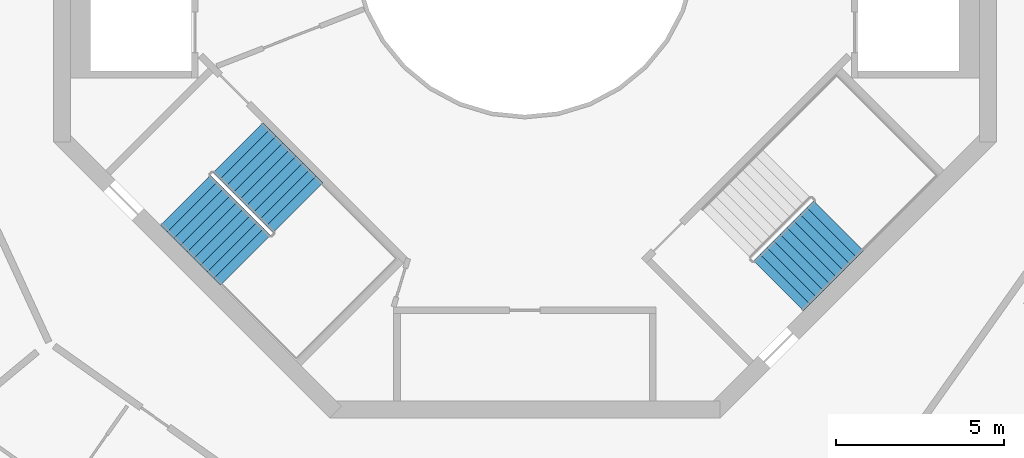
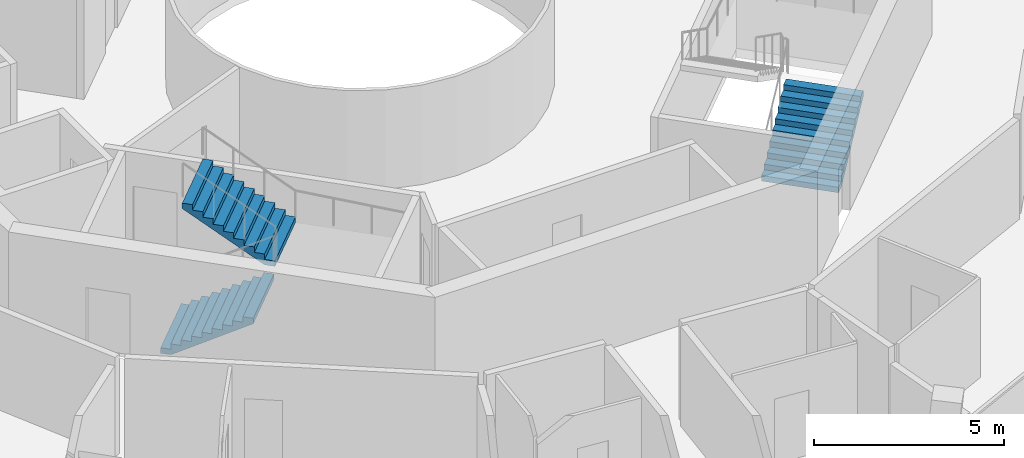
# One storey, part 21 of 23: 3 stair flights, 2 elements without a shape of their own.
"""IFC4 building model written with IfcOpenShell, lengths in metres."""

from ifc_helpers import new_model, si_unit, direction, frame, origin, place, context, subcontext, project, spatial, triangles, material, type_object, element, aggregate, save


model = new_model("IFC4")

# Units and contexts
model_context = context("Model", 3, precision=1e-05, world=origin(), true_north=direction((0.0, 1.0)))
body_context = subcontext(model_context, "Body", "Model", "MODEL_VIEW")
ifc_project = project(units=[si_unit("LENGTHUNIT", "METRE"), si_unit("AREAUNIT", "SQUARE_METRE"), si_unit("VOLUMEUNIT", "CUBIC_METRE"), si_unit("PLANEANGLEUNIT", "RADIAN"), si_unit("MASSUNIT", "GRAM", prefix="KILO")], contexts=[model_context])

# Site, building, storey
site_placement = place(None, origin())
site = spatial("IfcSite", under=ifc_project, at=site_placement, CompositionType="ELEMENT")
building_placement = place(site_placement, origin())
building = spatial("IfcBuilding", under=site, at=building_placement, Name="Verdalira Terraces Hotel", CompositionType="ELEMENT")
storey_placement = place(building_placement, frame((0.0, 0.0, 256.0)))
storey = spatial("IfcBuildingStorey", under=building, at=storey_placement, Name="L63", CompositionType="ELEMENT", Elevation=256.0)

# Stair, stair flights
ifc_material_1 = material(Name="Concrete C40", Category="concrete")
stair_type = type_object("IfcStairType", Name="Core stair 20 risers 2100 mm wide", PredefinedType="HALF_TURN_STAIR", material=ifc_material_1)
stair_1_placement = place(storey_placement, origin())
stair_1 = element("IfcStair", 1, at=stair_1_placement, inside=storey, type_object=stair_type, Name="L63 Exit stair ST2", PredefinedType="HALF_TURN_STAIR")
ifc_material_2 = material(Name="Concrete C40", Category="concrete")
stair_flight_type = type_object("IfcStairFlightType", Name="Core stair flight 20 risers 2100 mm wide", PredefinedType="STRAIGHT", material=ifc_material_2)
stair_flight_1_placement = place(storey_placement, frame((-10.076172, -7.530762, 0.0), z_axis=(0.0, 0.0, 1.0), x_axis=(0.707106781, -0.707106781, 0.0)))
stair_flight_1 = element("IfcStairFlight", 2, at=stair_flight_1_placement, type_object=stair_flight_type, Name="ST2 flight 1", NumberOfRisers=10, NumberOfTreads=9, PredefinedType="STRAIGHT", RiserHeight=0.175, TreadLength=0.28, context=body_context, shape_type="Tessellation", body=[
    triangles([(0.0, 1.050049, 0.0), (0.282715, 1.050049, 0.0), (2.52002, 1.050049, 1.398193), (0.0, -1.050049, 0.0), (0.282715, -1.050049, 0.0), (2.52002, -1.050049, 1.398193), (2.52002, 1.050049, 1.574951), (2.23999, 1.050049, 1.574951), (2.52002, -1.050049, 1.574951), (2.23999, -1.050049, 1.574951), (2.23999, 1.050049, 1.399902), (2.23999, -1.050049, 1.399902), (1.959961, 1.050049, 1.399902), (1.959961, -1.050049, 1.399902), (1.959961, 1.050049, 1.225098), (1.959961, -1.050049, 1.225098), (1.679932, 1.050049, 1.225098), (1.679932, 1.050049, 1.050049), (1.679932, -1.050049, 1.225098), (1.679932, -1.050049, 1.050049), (1.399902, 1.050049, 1.050049), (1.399902, 1.050049, 0.875), (1.399902, -1.050049, 1.050049), (1.399902, -1.050049, 0.875), (1.120117, 1.050049, 0.875), (1.120117, 1.050049, 0.699951), (1.120117, -1.050049, 0.875), (1.120117, -1.050049, 0.699951), (0.840088, 1.050049, 0.699951), (0.840088, 1.050049, 0.524902), (0.840088, -1.050049, 0.699951), (0.840088, -1.050049, 0.524902), (0.560059, 1.050049, 0.524902), (0.560059, 1.050049, 0.350098), (0.560059, -1.050049, 0.524902), (0.560059, -1.050049, 0.350098), (0.280029, 1.050049, 0.350098), (0.280029, 1.050049, 0.175049), (0.280029, -1.050049, 0.350098), (0.280029, -1.050049, 0.175049), (0.0, 1.050049, 0.175049), (0.0, -1.050049, 0.175049), (0.0, -0.984421, 0.0), (0.0, -0.984421, 0.175049), (0.0, -0.918793, 0.0), (0.0, -0.918793, 0.175049), (0.0, -0.853165, 0.0), (0.0, -0.853165, 0.175049), (0.0, -0.787537, 0.0), (0.0, -0.787537, 0.175049), (0.0, -0.721909, 0.0), (0.0, -0.721909, 0.175049), (0.0, -0.656281, 0.0), (0.0, -0.656281, 0.175049), (0.0, -0.590652, 0.0), (0.0, -0.590652, 0.175049), (0.0, -0.525024, 0.0), (0.0, -0.525024, 0.175049), (0.0, -0.459396, 0.0), (0.0, -0.459396, 0.175049), (0.0, -0.393768, 0.0), (0.0, -0.393768, 0.175049), (0.0, -0.32814, 0.0), (0.0, -0.32814, 0.175049), (0.0, -0.262512, 0.0), (0.0, -0.262512, 0.175049), (0.0, -0.196884, 0.0), (0.0, -0.196884, 0.175049), (0.0, -0.131256, 0.0), (0.0, -0.131256, 0.175049), (0.0, -0.065628, 0.0), (0.0, -0.065628, 0.175049), (0.0, 0.0, 0.0), (0.0, 0.0, 0.175049), (0.0, 0.065628, 0.0), (0.0, 0.065628, 0.175049), (0.0, 0.131256, 0.0), (0.0, 0.131256, 0.175049), (0.0, 0.196884, 0.0), (0.0, 0.196884, 0.175049), (0.0, 0.262512, 0.0), (0.0, 0.262512, 0.175049), (0.0, 0.32814, 0.0), (0.0, 0.32814, 0.175049), (0.0, 0.393768, 0.0), (0.0, 0.393768, 0.175049), (0.0, 0.459396, 0.0), (0.0, 0.459396, 0.175049), (0.0, 0.525024, 0.0), (0.0, 0.525024, 0.175049), (0.0, 0.590652, 0.0), (0.0, 0.590652, 0.175049), (0.0, 0.656281, 0.0), (0.0, 0.656281, 0.175049), (0.0, 0.721909, 0.0), (0.0, 0.721909, 0.175049), (0.0, 0.787537, 0.0), (0.0, 0.787537, 0.175049), (0.0, 0.853165, 0.0), (0.0, 0.853165, 0.175049), (0.0, 0.918793, 0.0), (0.0, 0.918793, 0.175049), (0.0, 0.984421, 0.0), (0.0, 0.984421, 0.175049), (2.52002, -0.984421, 1.574951), (2.52002, -0.918793, 1.574951), (2.52002, -0.853165, 1.574951), (2.52002, -0.787537, 1.574951), (2.52002, -0.721909, 1.574951), (2.52002, -0.656281, 1.574951), (2.52002, -0.590652, 1.574951), (2.52002, -0.525024, 1.574951), (2.52002, -0.459396, 1.574951), (2.52002, -0.393768, 1.574951), (2.52002, -0.32814, 1.574951), (2.52002, -0.262512, 1.574951), (2.52002, -0.196884, 1.574951), (2.52002, -0.131256, 1.574951), (2.52002, -0.065628, 1.574951), (2.52002, 0.0, 1.574951), (2.52002, 0.065628, 1.574951), (2.52002, 0.131256, 1.574951), (2.52002, 0.196884, 1.574951), (2.52002, 0.262512, 1.574951), (2.52002, 0.32814, 1.574951), (2.52002, 0.393768, 1.574951), (2.52002, 0.459396, 1.574951), (2.52002, 0.525024, 1.574951), (2.52002, 0.590652, 1.574951), (2.52002, 0.656281, 1.574951), (2.52002, 0.721909, 1.574951), (2.52002, 0.787537, 1.574951), (2.52002, 0.853165, 1.574951), (2.52002, 0.918793, 1.574951), (2.52002, 0.984421, 1.574951), (2.52002, -0.984421, 1.398193), (2.52002, -0.918793, 1.398193), (2.52002, -0.853165, 1.398193), (2.52002, -0.787537, 1.398193), (2.52002, -0.721909, 1.398193), (2.52002, -0.656281, 1.398193), (2.52002, -0.590652, 1.398193), (2.52002, -0.525024, 1.398193), (2.52002, -0.459396, 1.398193), (2.52002, -0.393768, 1.398193), (2.52002, -0.32814, 1.398193), (2.52002, -0.262512, 1.398193), (2.52002, -0.196884, 1.398193), (2.52002, -0.131256, 1.398193), (2.52002, -0.065628, 1.398193), (2.52002, 0.0, 1.398193), (2.52002, 0.065628, 1.398193), (2.52002, 0.131256, 1.398193), (2.52002, 0.196884, 1.398193), (2.52002, 0.262512, 1.398193), (2.52002, 0.32814, 1.398193), (2.52002, 0.393768, 1.398193), (2.52002, 0.459396, 1.398193), (2.52002, 0.525024, 1.398193), (2.52002, 0.590652, 1.398193), (2.52002, 0.656281, 1.398193), (2.52002, 0.721909, 1.398193), (2.52002, 0.787537, 1.398193), (2.52002, 0.853165, 1.398193), (2.52002, 0.918793, 1.398193), (2.52002, 0.984421, 1.398193)], [[1, 3, 2], [4, 5, 6], [3, 8, 7], [6, 9, 10], [3, 11, 8], [6, 10, 12], [3, 13, 11], [6, 12, 14], [3, 15, 13], [6, 14, 16], [15, 18, 17], [16, 19, 20], [3, 18, 15], [6, 16, 20], [18, 22, 21], [20, 23, 24], [3, 22, 18], [6, 20, 24], [22, 26, 25], [24, 27, 28], [3, 26, 22], [6, 24, 28], [26, 30, 29], [28, 31, 32], [3, 30, 26], [6, 28, 32], [1, 30, 3], [4, 6, 32], [30, 34, 33], [32, 35, 36], [34, 38, 37], [36, 39, 40], [30, 38, 34], [32, 36, 40], [1, 38, 30], [4, 32, 40], [38, 1, 41], [40, 42, 4], [4, 44, 43], [4, 42, 44], [43, 46, 45], [43, 44, 46], [45, 48, 47], [45, 46, 48], [47, 50, 49], [47, 48, 50], [49, 52, 51], [49, 50, 52], [51, 54, 53], [51, 52, 54], [53, 56, 55], [53, 54, 56], [55, 58, 57], [55, 56, 58], [57, 60, 59], [57, 58, 60], [59, 62, 61], [59, 60, 62], [61, 64, 63], [61, 62, 64], [63, 66, 65], [63, 64, 66], [65, 68, 67], [65, 66, 68], [67, 70, 69], [67, 68, 70], [69, 72, 71], [69, 70, 72], [71, 74, 73], [71, 72, 74], [73, 76, 75], [73, 74, 76], [75, 78, 77], [75, 76, 78], [77, 80, 79], [77, 78, 80], [79, 82, 81], [79, 80, 82], [81, 84, 83], [81, 82, 84], [83, 86, 85], [83, 84, 86], [85, 88, 87], [85, 86, 88], [87, 90, 89], [87, 88, 90], [89, 92, 91], [89, 90, 92], [91, 94, 93], [91, 92, 94], [93, 96, 95], [93, 94, 96], [95, 98, 97], [95, 96, 98], [97, 100, 99], [97, 98, 100], [99, 102, 101], [99, 100, 102], [101, 104, 103], [101, 102, 104], [103, 41, 1], [103, 104, 41], [42, 40, 44], [44, 40, 46], [46, 40, 48], [48, 40, 50], [50, 40, 52], [52, 40, 54], [54, 40, 56], [56, 40, 58], [58, 40, 60], [60, 40, 62], [62, 40, 64], [64, 40, 66], [66, 40, 68], [68, 40, 70], [70, 40, 72], [72, 40, 74], [74, 40, 76], [76, 40, 78], [78, 40, 80], [80, 40, 82], [82, 40, 84], [84, 40, 86], [86, 40, 88], [88, 40, 90], [90, 40, 92], [92, 40, 94], [94, 40, 96], [96, 40, 98], [98, 40, 100], [100, 40, 102], [102, 40, 104], [104, 40, 41], [41, 40, 38], [40, 37, 38], [40, 39, 37], [39, 34, 37], [39, 36, 34], [36, 33, 34], [36, 35, 33], [35, 30, 33], [35, 32, 30], [32, 29, 30], [32, 31, 29], [31, 26, 29], [31, 28, 26], [28, 25, 26], [28, 27, 25], [27, 22, 25], [27, 24, 22], [24, 21, 22], [24, 23, 21], [23, 18, 21], [23, 20, 18], [20, 17, 18], [20, 19, 17], [19, 15, 17], [19, 16, 15], [16, 13, 15], [16, 14, 13], [14, 11, 13], [14, 12, 11], [12, 8, 11], [12, 10, 8], [9, 105, 10], [105, 106, 10], [106, 107, 10], [107, 108, 10], [108, 109, 10], [109, 110, 10], [110, 111, 10], [111, 112, 10], [112, 113, 10], [113, 114, 10], [114, 115, 10], [115, 116, 10], [116, 117, 10], [117, 118, 10], [118, 119, 10], [119, 120, 10], [120, 121, 10], [121, 122, 10], [122, 123, 10], [123, 124, 10], [124, 125, 10], [125, 126, 10], [126, 127, 10], [127, 128, 10], [128, 129, 10], [129, 130, 10], [130, 131, 10], [131, 132, 10], [132, 133, 10], [133, 134, 10], [134, 135, 10], [135, 7, 10], [7, 8, 10], [9, 136, 105], [9, 6, 136], [105, 137, 106], [105, 136, 137], [106, 138, 107], [106, 137, 138], [107, 139, 108], [107, 138, 139], [108, 140, 109], [108, 139, 140], [109, 141, 110], [109, 140, 141], [110, 142, 111], [110, 141, 142], [111, 143, 112], [111, 142, 143], [112, 144, 113], [112, 143, 144], [113, 145, 114], [113, 144, 145], [114, 146, 115], [114, 145, 146], [115, 147, 116], [115, 146, 147], [116, 148, 117], [116, 147, 148], [117, 149, 118], [117, 148, 149], [118, 150, 119], [118, 149, 150], [119, 151, 120], [119, 150, 151], [120, 152, 121], [120, 151, 152], [121, 153, 122], [121, 152, 153], [122, 154, 123], [122, 153, 154], [123, 155, 124], [123, 154, 155], [124, 156, 125], [124, 155, 156], [125, 157, 126], [125, 156, 157], [126, 158, 127], [126, 157, 158], [127, 159, 128], [127, 158, 159], [128, 160, 129], [128, 159, 160], [129, 161, 130], [129, 160, 161], [130, 162, 131], [130, 161, 162], [131, 163, 132], [131, 162, 163], [132, 164, 133], [132, 163, 164], [133, 165, 134], [133, 164, 165], [134, 166, 135], [134, 165, 166], [135, 3, 7], [135, 166, 3], [6, 5, 136], [136, 5, 137], [137, 5, 138], [138, 5, 139], [139, 5, 140], [140, 5, 141], [141, 5, 142], [142, 5, 143], [143, 5, 144], [144, 5, 145], [145, 5, 146], [146, 5, 147], [147, 5, 148], [148, 5, 149], [149, 5, 150], [150, 5, 151], [151, 5, 152], [152, 5, 153], [153, 5, 154], [154, 5, 155], [155, 5, 156], [156, 5, 157], [157, 5, 158], [158, 5, 159], [159, 5, 160], [160, 5, 161], [161, 5, 162], [162, 5, 163], [163, 5, 164], [164, 5, 165], [165, 5, 166], [166, 5, 3], [3, 5, 2], [4, 43, 5], [43, 45, 5], [45, 47, 5], [47, 49, 5], [49, 51, 5], [51, 53, 5], [53, 55, 5], [55, 57, 5], [57, 59, 5], [59, 61, 5], [61, 63, 5], [63, 65, 5], [65, 67, 5], [67, 69, 5], [69, 71, 5], [71, 73, 5], [73, 75, 5], [75, 77, 5], [77, 79, 5], [79, 81, 5], [81, 83, 5], [83, 85, 5], [85, 87, 5], [87, 89, 5], [89, 91, 5], [91, 93, 5], [93, 95, 5], [95, 97, 5], [97, 99, 5], [99, 101, 5], [101, 103, 5], [103, 1, 5], [1, 2, 5]], closed=True),
])
stair_flight_2_placement = place(storey_placement, frame((-6.73877, -7.75708, 1.75), z_axis=(0.0, 0.0, 1.0), x_axis=(-0.707106781, 0.707106781, 0.0)))
stair_flight_2 = element("IfcStairFlight", 3, at=stair_flight_2_placement, type_object=stair_flight_type, Name="ST2 flight 2", NumberOfRisers=10, NumberOfTreads=9, PredefinedType="STRAIGHT", RiserHeight=0.175, TreadLength=0.28, context=body_context, shape_type="Tessellation", body=[
    triangles([(0.0, 1.050049, 0.0), (0.282715, 1.050049, 0.0), (2.52002, 1.050049, 1.398193), (0.0, -1.050049, 0.0), (0.282715, -1.050049, 0.0), (2.52002, -1.050049, 1.398193), (2.52002, 1.050049, 1.574951), (2.23999, 1.050049, 1.574951), (2.52002, -1.050049, 1.574951), (2.23999, -1.050049, 1.574951), (2.23999, 1.050049, 1.399902), (2.23999, -1.050049, 1.399902), (1.959961, 1.050049, 1.399902), (1.959961, -1.050049, 1.399902), (1.959961, 1.050049, 1.225098), (1.959961, -1.050049, 1.225098), (1.679932, 1.050049, 1.225098), (1.679932, 1.050049, 1.050049), (1.679932, -1.050049, 1.225098), (1.679932, -1.050049, 1.050049), (1.399902, 1.050049, 1.050049), (1.399902, 1.050049, 0.875), (1.399902, -1.050049, 1.050049), (1.399902, -1.050049, 0.875), (1.120117, 1.050049, 0.875), (1.120117, 1.050049, 0.699951), (1.120117, -1.050049, 0.875), (1.120117, -1.050049, 0.699951), (0.840088, 1.050049, 0.699951), (0.840088, 1.050049, 0.524902), (0.840088, -1.050049, 0.699951), (0.840088, -1.050049, 0.524902), (0.560059, 1.050049, 0.524902), (0.560059, 1.050049, 0.350098), (0.560059, -1.050049, 0.524902), (0.560059, -1.050049, 0.350098), (0.280029, 1.050049, 0.350098), (0.280029, 1.050049, 0.175049), (0.280029, -1.050049, 0.350098), (0.280029, -1.050049, 0.175049), (0.0, 1.050049, 0.175049), (0.0, -1.050049, 0.175049), (0.0, -0.984421, 0.0), (0.0, -0.984421, 0.175049), (0.0, -0.918793, 0.0), (0.0, -0.918793, 0.175049), (0.0, -0.853165, 0.0), (0.0, -0.853165, 0.175049), (0.0, -0.787537, 0.0), (0.0, -0.787537, 0.175049), (0.0, -0.721909, 0.0), (0.0, -0.721909, 0.175049), (0.0, -0.656281, 0.0), (0.0, -0.656281, 0.175049), (0.0, -0.590652, 0.0), (0.0, -0.590652, 0.175049), (0.0, -0.525024, 0.0), (0.0, -0.525024, 0.175049), (0.0, -0.459396, 0.0), (0.0, -0.459396, 0.175049), (0.0, -0.393768, 0.0), (0.0, -0.393768, 0.175049), (0.0, -0.32814, 0.0), (0.0, -0.32814, 0.175049), (0.0, -0.262512, 0.0), (0.0, -0.262512, 0.175049), (0.0, -0.196884, 0.0), (0.0, -0.196884, 0.175049), (0.0, -0.131256, 0.0), (0.0, -0.131256, 0.175049), (0.0, -0.065628, 0.0), (0.0, -0.065628, 0.175049), (0.0, 0.0, 0.0), (0.0, 0.0, 0.175049), (0.0, 0.065628, 0.0), (0.0, 0.065628, 0.175049), (0.0, 0.131256, 0.0), (0.0, 0.131256, 0.175049), (0.0, 0.196884, 0.0), (0.0, 0.196884, 0.175049), (0.0, 0.262512, 0.0), (0.0, 0.262512, 0.175049), (0.0, 0.32814, 0.0), (0.0, 0.32814, 0.175049), (0.0, 0.393768, 0.0), (0.0, 0.393768, 0.175049), (0.0, 0.459396, 0.0), (0.0, 0.459396, 0.175049), (0.0, 0.525024, 0.0), (0.0, 0.525024, 0.175049), (0.0, 0.590652, 0.0), (0.0, 0.590652, 0.175049), (0.0, 0.656281, 0.0), (0.0, 0.656281, 0.175049), (0.0, 0.721909, 0.0), (0.0, 0.721909, 0.175049), (0.0, 0.787537, 0.0), (0.0, 0.787537, 0.175049), (0.0, 0.853165, 0.0), (0.0, 0.853165, 0.175049), (0.0, 0.918793, 0.0), (0.0, 0.918793, 0.175049), (0.0, 0.984421, 0.0), (0.0, 0.984421, 0.175049), (2.52002, -0.984421, 1.574951), (2.52002, -0.918793, 1.574951), (2.52002, -0.853165, 1.574951), (2.52002, -0.787537, 1.574951), (2.52002, -0.721909, 1.574951), (2.52002, -0.656281, 1.574951), (2.52002, -0.590652, 1.574951), (2.52002, -0.525024, 1.574951), (2.52002, -0.459396, 1.574951), (2.52002, -0.393768, 1.574951), (2.52002, -0.32814, 1.574951), (2.52002, -0.262512, 1.574951), (2.52002, -0.196884, 1.574951), (2.52002, -0.131256, 1.574951), (2.52002, -0.065628, 1.574951), (2.52002, 0.0, 1.574951), (2.52002, 0.065628, 1.574951), (2.52002, 0.131256, 1.574951), (2.52002, 0.196884, 1.574951), (2.52002, 0.262512, 1.574951), (2.52002, 0.32814, 1.574951), (2.52002, 0.393768, 1.574951), (2.52002, 0.459396, 1.574951), (2.52002, 0.525024, 1.574951), (2.52002, 0.590652, 1.574951), (2.52002, 0.656281, 1.574951), (2.52002, 0.721909, 1.574951), (2.52002, 0.787537, 1.574951), (2.52002, 0.853165, 1.574951), (2.52002, 0.918793, 1.574951), (2.52002, 0.984421, 1.574951), (2.52002, -0.984421, 1.398193), (2.52002, -0.918793, 1.398193), (2.52002, -0.853165, 1.398193), (2.52002, -0.787537, 1.398193), (2.52002, -0.721909, 1.398193), (2.52002, -0.656281, 1.398193), (2.52002, -0.590652, 1.398193), (2.52002, -0.525024, 1.398193), (2.52002, -0.459396, 1.398193), (2.52002, -0.393768, 1.398193), (2.52002, -0.32814, 1.398193), (2.52002, -0.262512, 1.398193), (2.52002, -0.196884, 1.398193), (2.52002, -0.131256, 1.398193), (2.52002, -0.065628, 1.398193), (2.52002, 0.0, 1.398193), (2.52002, 0.065628, 1.398193), (2.52002, 0.131256, 1.398193), (2.52002, 0.196884, 1.398193), (2.52002, 0.262512, 1.398193), (2.52002, 0.32814, 1.398193), (2.52002, 0.393768, 1.398193), (2.52002, 0.459396, 1.398193), (2.52002, 0.525024, 1.398193), (2.52002, 0.590652, 1.398193), (2.52002, 0.656281, 1.398193), (2.52002, 0.721909, 1.398193), (2.52002, 0.787537, 1.398193), (2.52002, 0.853165, 1.398193), (2.52002, 0.918793, 1.398193), (2.52002, 0.984421, 1.398193)], [[1, 3, 2], [4, 5, 6], [3, 8, 7], [6, 9, 10], [3, 11, 8], [6, 10, 12], [3, 13, 11], [6, 12, 14], [3, 15, 13], [6, 14, 16], [15, 18, 17], [16, 19, 20], [3, 18, 15], [6, 16, 20], [18, 22, 21], [20, 23, 24], [3, 22, 18], [6, 20, 24], [22, 26, 25], [24, 27, 28], [3, 26, 22], [6, 24, 28], [26, 30, 29], [28, 31, 32], [3, 30, 26], [6, 28, 32], [1, 30, 3], [4, 6, 32], [30, 34, 33], [32, 35, 36], [34, 38, 37], [36, 39, 40], [30, 38, 34], [32, 36, 40], [1, 38, 30], [4, 32, 40], [38, 1, 41], [40, 42, 4], [4, 44, 43], [4, 42, 44], [43, 46, 45], [43, 44, 46], [45, 48, 47], [45, 46, 48], [47, 50, 49], [47, 48, 50], [49, 52, 51], [49, 50, 52], [51, 54, 53], [51, 52, 54], [53, 56, 55], [53, 54, 56], [55, 58, 57], [55, 56, 58], [57, 60, 59], [57, 58, 60], [59, 62, 61], [59, 60, 62], [61, 64, 63], [61, 62, 64], [63, 66, 65], [63, 64, 66], [65, 68, 67], [65, 66, 68], [67, 70, 69], [67, 68, 70], [69, 72, 71], [69, 70, 72], [71, 74, 73], [71, 72, 74], [73, 76, 75], [73, 74, 76], [75, 78, 77], [75, 76, 78], [77, 80, 79], [77, 78, 80], [79, 82, 81], [79, 80, 82], [81, 84, 83], [81, 82, 84], [83, 86, 85], [83, 84, 86], [85, 88, 87], [85, 86, 88], [87, 90, 89], [87, 88, 90], [89, 92, 91], [89, 90, 92], [91, 94, 93], [91, 92, 94], [93, 96, 95], [93, 94, 96], [95, 98, 97], [95, 96, 98], [97, 100, 99], [97, 98, 100], [99, 102, 101], [99, 100, 102], [101, 104, 103], [101, 102, 104], [103, 41, 1], [103, 104, 41], [42, 40, 44], [44, 40, 46], [46, 40, 48], [48, 40, 50], [50, 40, 52], [52, 40, 54], [54, 40, 56], [56, 40, 58], [58, 40, 60], [60, 40, 62], [62, 40, 64], [64, 40, 66], [66, 40, 68], [68, 40, 70], [70, 40, 72], [72, 40, 74], [74, 40, 76], [76, 40, 78], [78, 40, 80], [80, 40, 82], [82, 40, 84], [84, 40, 86], [86, 40, 88], [88, 40, 90], [90, 40, 92], [92, 40, 94], [94, 40, 96], [96, 40, 98], [98, 40, 100], [100, 40, 102], [102, 40, 104], [104, 40, 41], [41, 40, 38], [40, 37, 38], [40, 39, 37], [39, 34, 37], [39, 36, 34], [36, 33, 34], [36, 35, 33], [35, 30, 33], [35, 32, 30], [32, 29, 30], [32, 31, 29], [31, 26, 29], [31, 28, 26], [28, 25, 26], [28, 27, 25], [27, 22, 25], [27, 24, 22], [24, 21, 22], [24, 23, 21], [23, 18, 21], [23, 20, 18], [20, 17, 18], [20, 19, 17], [19, 15, 17], [19, 16, 15], [16, 13, 15], [16, 14, 13], [14, 11, 13], [14, 12, 11], [12, 8, 11], [12, 10, 8], [9, 105, 10], [105, 106, 10], [106, 107, 10], [107, 108, 10], [108, 109, 10], [109, 110, 10], [110, 111, 10], [111, 112, 10], [112, 113, 10], [113, 114, 10], [114, 115, 10], [115, 116, 10], [116, 117, 10], [117, 118, 10], [118, 119, 10], [119, 120, 10], [120, 121, 10], [121, 122, 10], [122, 123, 10], [123, 124, 10], [124, 125, 10], [125, 126, 10], [126, 127, 10], [127, 128, 10], [128, 129, 10], [129, 130, 10], [130, 131, 10], [131, 132, 10], [132, 133, 10], [133, 134, 10], [134, 135, 10], [135, 7, 10], [7, 8, 10], [9, 136, 105], [9, 6, 136], [105, 137, 106], [105, 136, 137], [106, 138, 107], [106, 137, 138], [107, 139, 108], [107, 138, 139], [108, 140, 109], [108, 139, 140], [109, 141, 110], [109, 140, 141], [110, 142, 111], [110, 141, 142], [111, 143, 112], [111, 142, 143], [112, 144, 113], [112, 143, 144], [113, 145, 114], [113, 144, 145], [114, 146, 115], [114, 145, 146], [115, 147, 116], [115, 146, 147], [116, 148, 117], [116, 147, 148], [117, 149, 118], [117, 148, 149], [118, 150, 119], [118, 149, 150], [119, 151, 120], [119, 150, 151], [120, 152, 121], [120, 151, 152], [121, 153, 122], [121, 152, 153], [122, 154, 123], [122, 153, 154], [123, 155, 124], [123, 154, 155], [124, 156, 125], [124, 155, 156], [125, 157, 126], [125, 156, 157], [126, 158, 127], [126, 157, 158], [127, 159, 128], [127, 158, 159], [128, 160, 129], [128, 159, 160], [129, 161, 130], [129, 160, 161], [130, 162, 131], [130, 161, 162], [131, 163, 132], [131, 162, 163], [132, 164, 133], [132, 163, 164], [133, 165, 134], [133, 164, 165], [134, 166, 135], [134, 165, 166], [135, 3, 7], [135, 166, 3], [6, 5, 136], [136, 5, 137], [137, 5, 138], [138, 5, 139], [139, 5, 140], [140, 5, 141], [141, 5, 142], [142, 5, 143], [143, 5, 144], [144, 5, 145], [145, 5, 146], [146, 5, 147], [147, 5, 148], [148, 5, 149], [149, 5, 150], [150, 5, 151], [151, 5, 152], [152, 5, 153], [153, 5, 154], [154, 5, 155], [155, 5, 156], [156, 5, 157], [157, 5, 158], [158, 5, 159], [159, 5, 160], [160, 5, 161], [161, 5, 162], [162, 5, 163], [163, 5, 164], [164, 5, 165], [165, 5, 166], [166, 5, 3], [3, 5, 2], [4, 43, 5], [43, 45, 5], [45, 47, 5], [47, 49, 5], [49, 51, 5], [51, 53, 5], [53, 55, 5], [55, 57, 5], [57, 59, 5], [59, 61, 5], [61, 63, 5], [63, 65, 5], [65, 67, 5], [67, 69, 5], [69, 71, 5], [71, 73, 5], [73, 75, 5], [75, 77, 5], [77, 79, 5], [79, 81, 5], [81, 83, 5], [83, 85, 5], [85, 87, 5], [87, 89, 5], [89, 91, 5], [91, 93, 5], [93, 95, 5], [95, 97, 5], [97, 99, 5], [99, 101, 5], [101, 103, 5], [103, 1, 5], [1, 2, 5]], closed=True),
])
aggregate(stair_1, [stair_flight_1, stair_flight_2])

# Stair, stair flight
stair_2_placement = place(storey_placement, origin())
stair_2 = element("IfcStair", 4, at=stair_2_placement, inside=storey, type_object=stair_type, Name="L63 Exit stair ST3", PredefinedType="HALF_TURN_STAIR")
stair_flight_3_placement = place(storey_placement, frame((7.530762, -10.076172, 0.0), z_axis=(0.0, 0.0, 1.0), x_axis=(0.707106781, 0.707106781, 0.0)))
stair_flight_3 = element("IfcStairFlight", 5, at=stair_flight_3_placement, type_object=stair_flight_type, Name="ST3 flight 1", NumberOfRisers=10, NumberOfTreads=9, PredefinedType="STRAIGHT", RiserHeight=0.175, TreadLength=0.28, context=body_context, shape_type="Tessellation", body=[
    triangles([(0.0, 1.050049, 0.0), (0.282715, 1.050049, 0.0), (2.52002, 1.050049, 1.398193), (0.0, -1.050049, 0.0), (0.282715, -1.050049, 0.0), (2.52002, -1.050049, 1.398193), (2.52002, 1.050049, 1.574951), (2.23999, 1.050049, 1.574951), (2.52002, -1.050049, 1.574951), (2.23999, -1.050049, 1.574951), (2.23999, 1.050049, 1.399902), (2.23999, -1.050049, 1.399902), (1.959961, 1.050049, 1.399902), (1.959961, -1.050049, 1.399902), (1.959961, 1.050049, 1.225098), (1.959961, -1.050049, 1.225098), (1.679932, 1.050049, 1.225098), (1.679932, 1.050049, 1.050049), (1.679932, -1.050049, 1.225098), (1.679932, -1.050049, 1.050049), (1.399902, 1.050049, 1.050049), (1.399902, 1.050049, 0.875), (1.399902, -1.050049, 1.050049), (1.399902, -1.050049, 0.875), (1.120117, 1.050049, 0.875), (1.120117, 1.050049, 0.699951), (1.120117, -1.050049, 0.875), (1.120117, -1.050049, 0.699951), (0.840088, 1.050049, 0.699951), (0.840088, 1.050049, 0.524902), (0.840088, -1.050049, 0.699951), (0.840088, -1.050049, 0.524902), (0.560059, 1.050049, 0.524902), (0.560059, 1.050049, 0.350098), (0.560059, -1.050049, 0.524902), (0.560059, -1.050049, 0.350098), (0.280029, 1.050049, 0.350098), (0.280029, 1.050049, 0.175049), (0.280029, -1.050049, 0.350098), (0.280029, -1.050049, 0.175049), (0.0, 1.050049, 0.175049), (0.0, -1.050049, 0.175049), (0.0, -0.984421, 0.0), (0.0, -0.984421, 0.175049), (0.0, -0.918793, 0.0), (0.0, -0.918793, 0.175049), (0.0, -0.853165, 0.0), (0.0, -0.853165, 0.175049), (0.0, -0.787537, 0.0), (0.0, -0.787537, 0.175049), (0.0, -0.721909, 0.0), (0.0, -0.721909, 0.175049), (0.0, -0.656281, 0.0), (0.0, -0.656281, 0.175049), (0.0, -0.590652, 0.0), (0.0, -0.590652, 0.175049), (0.0, -0.525024, 0.0), (0.0, -0.525024, 0.175049), (0.0, -0.459396, 0.0), (0.0, -0.459396, 0.175049), (0.0, -0.393768, 0.0), (0.0, -0.393768, 0.175049), (0.0, -0.32814, 0.0), (0.0, -0.32814, 0.175049), (0.0, -0.262512, 0.0), (0.0, -0.262512, 0.175049), (0.0, -0.196884, 0.0), (0.0, -0.196884, 0.175049), (0.0, -0.131256, 0.0), (0.0, -0.131256, 0.175049), (0.0, -0.065628, 0.0), (0.0, -0.065628, 0.175049), (0.0, 0.0, 0.0), (0.0, 0.0, 0.175049), (0.0, 0.065628, 0.0), (0.0, 0.065628, 0.175049), (0.0, 0.131256, 0.0), (0.0, 0.131256, 0.175049), (0.0, 0.196884, 0.0), (0.0, 0.196884, 0.175049), (0.0, 0.262512, 0.0), (0.0, 0.262512, 0.175049), (0.0, 0.32814, 0.0), (0.0, 0.32814, 0.175049), (0.0, 0.393768, 0.0), (0.0, 0.393768, 0.175049), (0.0, 0.459396, 0.0), (0.0, 0.459396, 0.175049), (0.0, 0.525024, 0.0), (0.0, 0.525024, 0.175049), (0.0, 0.590652, 0.0), (0.0, 0.590652, 0.175049), (0.0, 0.656281, 0.0), (0.0, 0.656281, 0.175049), (0.0, 0.721909, 0.0), (0.0, 0.721909, 0.175049), (0.0, 0.787537, 0.0), (0.0, 0.787537, 0.175049), (0.0, 0.853165, 0.0), (0.0, 0.853165, 0.175049), (0.0, 0.918793, 0.0), (0.0, 0.918793, 0.175049), (0.0, 0.984421, 0.0), (0.0, 0.984421, 0.175049), (2.52002, -0.984421, 1.574951), (2.52002, -0.918793, 1.574951), (2.52002, -0.853165, 1.574951), (2.52002, -0.787537, 1.574951), (2.52002, -0.721909, 1.574951), (2.52002, -0.656281, 1.574951), (2.52002, -0.590652, 1.574951), (2.52002, -0.525024, 1.574951), (2.52002, -0.459396, 1.574951), (2.52002, -0.393768, 1.574951), (2.52002, -0.32814, 1.574951), (2.52002, -0.262512, 1.574951), (2.52002, -0.196884, 1.574951), (2.52002, -0.131256, 1.574951), (2.52002, -0.065628, 1.574951), (2.52002, 0.0, 1.574951), (2.52002, 0.065628, 1.574951), (2.52002, 0.131256, 1.574951), (2.52002, 0.196884, 1.574951), (2.52002, 0.262512, 1.574951), (2.52002, 0.32814, 1.574951), (2.52002, 0.393768, 1.574951), (2.52002, 0.459396, 1.574951), (2.52002, 0.525024, 1.574951), (2.52002, 0.590652, 1.574951), (2.52002, 0.656281, 1.574951), (2.52002, 0.721909, 1.574951), (2.52002, 0.787537, 1.574951), (2.52002, 0.853165, 1.574951), (2.52002, 0.918793, 1.574951), (2.52002, 0.984421, 1.574951), (2.52002, -0.984421, 1.398193), (2.52002, -0.918793, 1.398193), (2.52002, -0.853165, 1.398193), (2.52002, -0.787537, 1.398193), (2.52002, -0.721909, 1.398193), (2.52002, -0.656281, 1.398193), (2.52002, -0.590652, 1.398193), (2.52002, -0.525024, 1.398193), (2.52002, -0.459396, 1.398193), (2.52002, -0.393768, 1.398193), (2.52002, -0.32814, 1.398193), (2.52002, -0.262512, 1.398193), (2.52002, -0.196884, 1.398193), (2.52002, -0.131256, 1.398193), (2.52002, -0.065628, 1.398193), (2.52002, 0.0, 1.398193), (2.52002, 0.065628, 1.398193), (2.52002, 0.131256, 1.398193), (2.52002, 0.196884, 1.398193), (2.52002, 0.262512, 1.398193), (2.52002, 0.32814, 1.398193), (2.52002, 0.393768, 1.398193), (2.52002, 0.459396, 1.398193), (2.52002, 0.525024, 1.398193), (2.52002, 0.590652, 1.398193), (2.52002, 0.656281, 1.398193), (2.52002, 0.721909, 1.398193), (2.52002, 0.787537, 1.398193), (2.52002, 0.853165, 1.398193), (2.52002, 0.918793, 1.398193), (2.52002, 0.984421, 1.398193)], [[1, 3, 2], [4, 5, 6], [3, 8, 7], [6, 9, 10], [3, 11, 8], [6, 10, 12], [3, 13, 11], [6, 12, 14], [3, 15, 13], [6, 14, 16], [15, 18, 17], [16, 19, 20], [3, 18, 15], [6, 16, 20], [18, 22, 21], [20, 23, 24], [3, 22, 18], [6, 20, 24], [22, 26, 25], [24, 27, 28], [3, 26, 22], [6, 24, 28], [26, 30, 29], [28, 31, 32], [3, 30, 26], [6, 28, 32], [1, 30, 3], [4, 6, 32], [30, 34, 33], [32, 35, 36], [34, 38, 37], [36, 39, 40], [30, 38, 34], [32, 36, 40], [1, 38, 30], [4, 32, 40], [38, 1, 41], [40, 42, 4], [4, 44, 43], [4, 42, 44], [43, 46, 45], [43, 44, 46], [45, 48, 47], [45, 46, 48], [47, 50, 49], [47, 48, 50], [49, 52, 51], [49, 50, 52], [51, 54, 53], [51, 52, 54], [53, 56, 55], [53, 54, 56], [55, 58, 57], [55, 56, 58], [57, 60, 59], [57, 58, 60], [59, 62, 61], [59, 60, 62], [61, 64, 63], [61, 62, 64], [63, 66, 65], [63, 64, 66], [65, 68, 67], [65, 66, 68], [67, 70, 69], [67, 68, 70], [69, 72, 71], [69, 70, 72], [71, 74, 73], [71, 72, 74], [73, 76, 75], [73, 74, 76], [75, 78, 77], [75, 76, 78], [77, 80, 79], [77, 78, 80], [79, 82, 81], [79, 80, 82], [81, 84, 83], [81, 82, 84], [83, 86, 85], [83, 84, 86], [85, 88, 87], [85, 86, 88], [87, 90, 89], [87, 88, 90], [89, 92, 91], [89, 90, 92], [91, 94, 93], [91, 92, 94], [93, 96, 95], [93, 94, 96], [95, 98, 97], [95, 96, 98], [97, 100, 99], [97, 98, 100], [99, 102, 101], [99, 100, 102], [101, 104, 103], [101, 102, 104], [103, 41, 1], [103, 104, 41], [42, 40, 44], [44, 40, 46], [46, 40, 48], [48, 40, 50], [50, 40, 52], [52, 40, 54], [54, 40, 56], [56, 40, 58], [58, 40, 60], [60, 40, 62], [62, 40, 64], [64, 40, 66], [66, 40, 68], [68, 40, 70], [70, 40, 72], [72, 40, 74], [74, 40, 76], [76, 40, 78], [78, 40, 80], [80, 40, 82], [82, 40, 84], [84, 40, 86], [86, 40, 88], [88, 40, 90], [90, 40, 92], [92, 40, 94], [94, 40, 96], [96, 40, 98], [98, 40, 100], [100, 40, 102], [102, 40, 104], [104, 40, 41], [41, 40, 38], [40, 37, 38], [40, 39, 37], [39, 34, 37], [39, 36, 34], [36, 33, 34], [36, 35, 33], [35, 30, 33], [35, 32, 30], [32, 29, 30], [32, 31, 29], [31, 26, 29], [31, 28, 26], [28, 25, 26], [28, 27, 25], [27, 22, 25], [27, 24, 22], [24, 21, 22], [24, 23, 21], [23, 18, 21], [23, 20, 18], [20, 17, 18], [20, 19, 17], [19, 15, 17], [19, 16, 15], [16, 13, 15], [16, 14, 13], [14, 11, 13], [14, 12, 11], [12, 8, 11], [12, 10, 8], [9, 105, 10], [105, 106, 10], [106, 107, 10], [107, 108, 10], [108, 109, 10], [109, 110, 10], [110, 111, 10], [111, 112, 10], [112, 113, 10], [113, 114, 10], [114, 115, 10], [115, 116, 10], [116, 117, 10], [117, 118, 10], [118, 119, 10], [119, 120, 10], [120, 121, 10], [121, 122, 10], [122, 123, 10], [123, 124, 10], [124, 125, 10], [125, 126, 10], [126, 127, 10], [127, 128, 10], [128, 129, 10], [129, 130, 10], [130, 131, 10], [131, 132, 10], [132, 133, 10], [133, 134, 10], [134, 135, 10], [135, 7, 10], [7, 8, 10], [9, 136, 105], [9, 6, 136], [105, 137, 106], [105, 136, 137], [106, 138, 107], [106, 137, 138], [107, 139, 108], [107, 138, 139], [108, 140, 109], [108, 139, 140], [109, 141, 110], [109, 140, 141], [110, 142, 111], [110, 141, 142], [111, 143, 112], [111, 142, 143], [112, 144, 113], [112, 143, 144], [113, 145, 114], [113, 144, 145], [114, 146, 115], [114, 145, 146], [115, 147, 116], [115, 146, 147], [116, 148, 117], [116, 147, 148], [117, 149, 118], [117, 148, 149], [118, 150, 119], [118, 149, 150], [119, 151, 120], [119, 150, 151], [120, 152, 121], [120, 151, 152], [121, 153, 122], [121, 152, 153], [122, 154, 123], [122, 153, 154], [123, 155, 124], [123, 154, 155], [124, 156, 125], [124, 155, 156], [125, 157, 126], [125, 156, 157], [126, 158, 127], [126, 157, 158], [127, 159, 128], [127, 158, 159], [128, 160, 129], [128, 159, 160], [129, 161, 130], [129, 160, 161], [130, 162, 131], [130, 161, 162], [131, 163, 132], [131, 162, 163], [132, 164, 133], [132, 163, 164], [133, 165, 134], [133, 164, 165], [134, 166, 135], [134, 165, 166], [135, 3, 7], [135, 166, 3], [6, 5, 136], [136, 5, 137], [137, 5, 138], [138, 5, 139], [139, 5, 140], [140, 5, 141], [141, 5, 142], [142, 5, 143], [143, 5, 144], [144, 5, 145], [145, 5, 146], [146, 5, 147], [147, 5, 148], [148, 5, 149], [149, 5, 150], [150, 5, 151], [151, 5, 152], [152, 5, 153], [153, 5, 154], [154, 5, 155], [155, 5, 156], [156, 5, 157], [157, 5, 158], [158, 5, 159], [159, 5, 160], [160, 5, 161], [161, 5, 162], [162, 5, 163], [163, 5, 164], [164, 5, 165], [165, 5, 166], [166, 5, 3], [3, 5, 2], [4, 43, 5], [43, 45, 5], [45, 47, 5], [47, 49, 5], [49, 51, 5], [51, 53, 5], [53, 55, 5], [55, 57, 5], [57, 59, 5], [59, 61, 5], [61, 63, 5], [63, 65, 5], [65, 67, 5], [67, 69, 5], [69, 71, 5], [71, 73, 5], [73, 75, 5], [75, 77, 5], [77, 79, 5], [79, 81, 5], [81, 83, 5], [83, 85, 5], [85, 87, 5], [87, 89, 5], [89, 91, 5], [91, 93, 5], [93, 95, 5], [95, 97, 5], [97, 99, 5], [99, 101, 5], [101, 103, 5], [103, 1, 5], [1, 2, 5]], closed=True),
])
aggregate(stair_2, [stair_flight_3])

save(model, "model.ifc")
